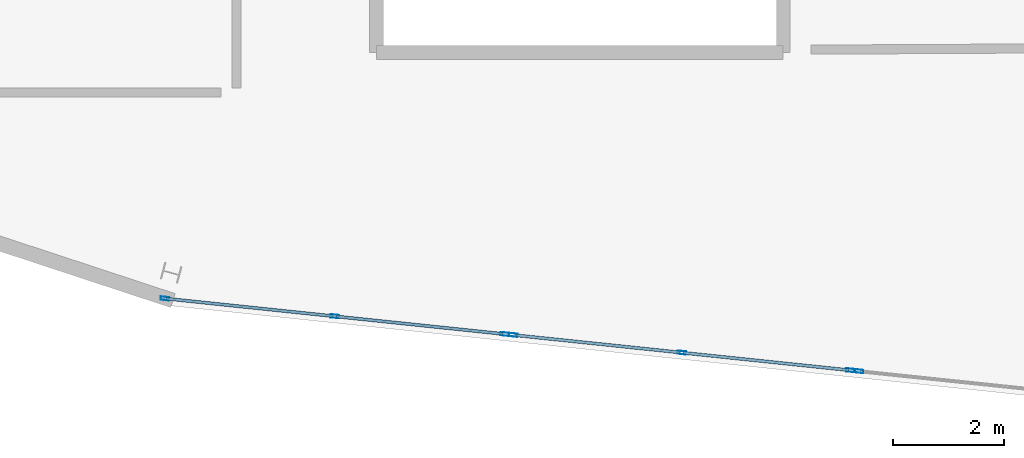
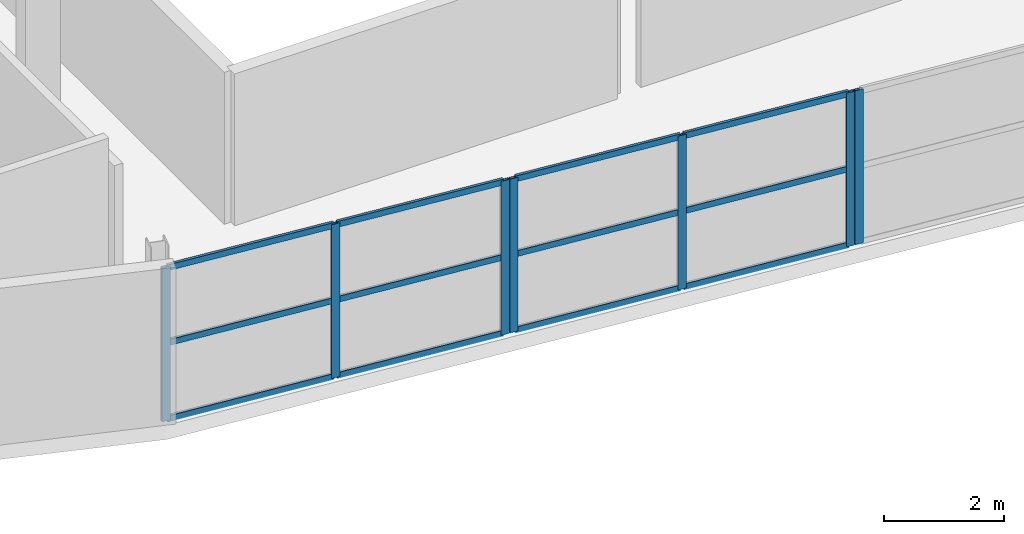
# One storey, part 15 of 35: 19 members, 3 elements without a shape of their own.
"""IFC4 building model written with IfcOpenShell, lengths in metres."""

from ifc_helpers import new_model, si_unit, direction, frame, origin, origin_2d, place, context, subcontext, project, spatial, hollow_rectangle, extrude, material, layer, layer_set, material_profile, profile_set, type_object, element, aggregate, save


model = new_model("IFC4")

# Units and contexts
model_context = context("Model", 3, precision=1e-05, world=origin(), true_north=direction((0.0, 1.0)))
body_context = subcontext(model_context, "Body", "Model", "MODEL_VIEW")
ifc_project = project(units=[si_unit("LENGTHUNIT", "METRE"), si_unit("AREAUNIT", "SQUARE_METRE"), si_unit("VOLUMEUNIT", "CUBIC_METRE"), si_unit("PLANEANGLEUNIT", "RADIAN"), si_unit("MASSUNIT", "GRAM", prefix="KILO")], contexts=[model_context])

# Site, building, storey
site_placement = place(None, origin())
site = spatial("IfcSite", under=ifc_project, at=site_placement, CompositionType="ELEMENT")
building_placement = place(site_placement, origin())
building = spatial("IfcBuilding", under=site, at=building_placement, Name="Kalgoora Escarpment Arena", CompositionType="ELEMENT")
storey_placement = place(building_placement, frame((0.0, 0.0, 23.39990234375)))
storey = spatial("IfcBuildingStorey", under=building, at=storey_placement, Name="L05", CompositionType="ELEMENT", Elevation=23.39990234375)

# Curtain wall, member
ifc_material_1 = material(Name=" Champagne anodised aluminium & double-glazed low-E", Category="aluminium")
ifc_layer_1 = layer(ifc_material_1, 0.14990234375)
ifc_layer_set_1 = layer_set([ifc_layer_1], Name="CW-UNIT-15")
curtain_wall_type_1 = type_object("IfcCurtainWallType", Name="CW-UNIT-15", PredefinedType="NOTDEFINED", material=ifc_layer_set_1)
curtain_wall_1_placement = place(storey_placement, origin())
curtain_wall_1 = element("IfcCurtainWall", 1, at=curtain_wall_1_placement, inside=storey, type_object=curtain_wall_type_1, Name="L05 unitised facade curtain wall 194", PredefinedType="NOTDEFINED")
ifc_material_2 = material(Name="Anodised aluminium 6063-T6", Category="aluminium")
ifc_material_profile_1 = material_profile(ifc_material_2, hollow_rectangle(XDim=0.06005859375, YDim=0.14990234375, WallThickness=0.00341796875, at=origin_2d()))
ifc_profile_set_1 = profile_set([ifc_material_profile_1], Name="Anodised aluminium 6063-T6")
member_type_1 = type_object("IfcMemberType", Name="MEM-CW-MULL-150", PredefinedType="MULLION", material=ifc_profile_set_1)
member_1_placement = place(storey_placement, frame((86.245849609375, 7.165283203125, 0.02001953125), z_axis=(0.0, 0.0, 1.0), x_axis=(-0.104184301056, -0.994558008069, 0.0)))
member_1 = element("IfcMember", 2, at=member_1_placement, type_object=member_type_1, Name="CW-15 mullion 3", PredefinedType="MULLION", context=body_context, shape_type="SweptSolid", body=[
    extrude(hollow_rectangle(XDim=0.06005859375, YDim=0.14990234375, WallThickness=0.00341796875, at=origin_2d()), origin(), (0.0, 0.0, 1.0), 3.1201171875),
])
aggregate(curtain_wall_1, [member_1])

# Curtain wall, members
ifc_material_3 = material(Name=" Champagne anodised aluminium & double-glazed low-E", Category="aluminium")
ifc_layer_2 = layer(ifc_material_3, 0.154052734375)
ifc_layer_set_2 = layer_set([ifc_layer_2], Name="CW-UNIT-16")
curtain_wall_type_2 = type_object("IfcCurtainWallType", Name="CW-UNIT-16", PredefinedType="NOTDEFINED", material=ifc_layer_set_2)
curtain_wall_2_placement = place(storey_placement, origin())
curtain_wall_2 = element("IfcCurtainWall", 3, at=curtain_wall_2_placement, inside=storey, type_object=curtain_wall_type_2, Name="L05 unitised facade curtain wall 195", PredefinedType="NOTDEFINED")
member_2_placement = place(storey_placement, frame((86.086669921875, 7.181884765625, 0.02001953125), z_axis=(0.0, 0.0, 1.0), x_axis=(-0.104169303359, -0.994559579029, 0.0)))
member_2 = element("IfcMember", 4, at=member_2_placement, type_object=member_type_1, Name="CW-16 mullion 1", PredefinedType="MULLION", context=body_context, shape_type="SweptSolid", body=[
    extrude(hollow_rectangle(XDim=0.06005859375, YDim=0.14990234375, WallThickness=0.00341796875, at=origin_2d()), origin(), (0.0, 0.0, 1.0), 3.1201171875),
])
member_3_placement = place(storey_placement, frame((83.043212890625, 7.500732421875, 0.02001953125), z_axis=(0.0, 0.0, 1.0), x_axis=(-0.104169303359, -0.994559579029, 0.0)))
member_3 = element("IfcMember", 5, at=member_3_placement, type_object=member_type_1, Name="CW-16 mullion 2", PredefinedType="MULLION", context=body_context, shape_type="SweptSolid", body=[
    extrude(hollow_rectangle(XDim=0.06005859375, YDim=0.14990234375, WallThickness=0.00341796875, at=origin_2d()), origin(), (0.0, 0.0, 1.0), 3.1201171875),
])
member_4_placement = place(storey_placement, frame((79.999755859375, 7.819580078125, 0.02001953125), z_axis=(0.0, 0.0, 1.0), x_axis=(-0.104169303359, -0.994559579029, 0.0)))
member_4 = element("IfcMember", 6, at=member_4_placement, type_object=member_type_1, Name="CW-16 mullion 3", PredefinedType="MULLION", context=body_context, shape_type="SweptSolid", body=[
    extrude(hollow_rectangle(XDim=0.06005859375, YDim=0.14990234375, WallThickness=0.00341796875, at=origin_2d()), origin(), (0.0, 0.0, 1.0), 3.1201171875),
])

ifc_material_4 = material(Name=" Champagne anodised aluminium & double-glazed low-E", Category="aluminium")
ifc_layer_3 = layer(ifc_material_4, 0.157958984375)
ifc_layer_set_3 = layer_set([ifc_layer_3], Name="CW-UNIT-17")
curtain_wall_type_3 = type_object("IfcCurtainWallType", Name="CW-UNIT-17", PredefinedType="NOTDEFINED", material=ifc_layer_set_3)
curtain_wall_3_placement = place(storey_placement, origin())
curtain_wall_3 = element("IfcCurtainWall", 7, at=curtain_wall_3_placement, inside=storey, type_object=curtain_wall_type_3, Name="L05 unitised facade curtain wall 196", PredefinedType="NOTDEFINED")
member_5_placement = place(storey_placement, frame((79.840576171875, 7.836181640625, 0.02001953125), z_axis=(0.0, 0.0, 1.0), x_axis=(-0.104168424645, -0.994559671064, 0.0)))
member_5 = element("IfcMember", 8, at=member_5_placement, type_object=member_type_1, Name="CW-17 mullion 1", PredefinedType="MULLION", context=body_context, shape_type="SweptSolid", body=[
    extrude(hollow_rectangle(XDim=0.06005859375, YDim=0.14990234375, WallThickness=0.00341796875, at=origin_2d()), origin(), (0.0, 0.0, 1.0), 3.1201171875),
])
member_6_placement = place(storey_placement, frame((76.772216796875, 8.157470703125, 0.02001953125), z_axis=(0.0, 0.0, 1.0), x_axis=(-0.104168424645, -0.994559671064, 0.0)))
member_6 = element("IfcMember", 9, at=member_6_placement, type_object=member_type_1, Name="CW-17 mullion 2", PredefinedType="MULLION", context=body_context, shape_type="SweptSolid", body=[
    extrude(hollow_rectangle(XDim=0.06005859375, YDim=0.14990234375, WallThickness=0.00341796875, at=origin_2d()), origin(), (0.0, 0.0, 1.0), 3.1201171875),
])
member_7_placement = place(storey_placement, frame((73.703857421875, 8.478759765625, 0.02001953125), z_axis=(0.0, 0.0, 1.0), x_axis=(-0.104168424645, -0.994559671064, 0.0)))
member_7 = element("IfcMember", 10, at=member_7_placement, type_object=member_type_1, Name="CW-17 mullion 3", PredefinedType="MULLION", context=body_context, shape_type="SweptSolid", body=[
    extrude(hollow_rectangle(XDim=0.06005859375, YDim=0.14990234375, WallThickness=0.00341796875, at=origin_2d()), origin(), (0.0, 0.0, 1.0), 3.1201171875),
])

# Member
ifc_material_5 = material(Name="Anodised aluminium 6063-T6", Category="aluminium")
ifc_material_profile_2 = material_profile(ifc_material_5, hollow_rectangle(XDim=0.054931640625, YDim=0.1201171875, WallThickness=0.003173828125, at=origin_2d()))
ifc_profile_set_2 = profile_set([ifc_material_profile_2], Name="Anodised aluminium 6063-T6")
member_type_2 = type_object("IfcMemberType", Name="MEM-CW-TRAN-120", PredefinedType="USERDEFINED", material=ifc_profile_set_2)
member_8_placement = place(storey_placement, frame((86.056884765625, 7.18505859375, 0.047607421875), z_axis=(-0.994560604365, 0.104159513466, 0.0), x_axis=(-0.104159513466, -0.994560604365, 0.0)))
member_8 = element("IfcMember", 11, at=member_8_placement, type_object=member_type_2, Name="CW-16 transom 1.1", ObjectType="TRANSOM", PredefinedType="USERDEFINED", context=body_context, shape_type="SweptSolid", body=[
    extrude(hollow_rectangle(XDim=0.054931640625, YDim=0.1201171875, WallThickness=0.003173828125, at=origin_2d()), origin(), (0.0, 0.0, 1.0), 3.000244140625),
])

member_9_placement = place(storey_placement, frame((86.056884765625, 7.18505859375, 1.590087890625), z_axis=(-0.994560604365, 0.104159513466, 0.0), x_axis=(-0.104159513466, -0.994560604365, 0.0)))
member_9 = element("IfcMember", 12, at=member_9_placement, type_object=member_type_2, Name="CW-16 transom 1.2", ObjectType="TRANSOM", PredefinedType="USERDEFINED", context=body_context, shape_type="SweptSolid", body=[
    extrude(hollow_rectangle(XDim=0.054931640625, YDim=0.1201171875, WallThickness=0.003173828125, at=origin_2d()), origin(), (0.0, 0.0, 1.0), 3.000244140625),
])

member_10_placement = place(storey_placement, frame((86.056884765625, 7.18505859375, 3.112548828125), z_axis=(-0.994560604365, 0.104159513466, 0.0), x_axis=(-0.104159513466, -0.994560604365, 0.0)))
member_10 = element("IfcMember", 13, at=member_10_placement, type_object=member_type_2, Name="CW-16 transom 1.3", ObjectType="TRANSOM", PredefinedType="USERDEFINED", context=body_context, shape_type="SweptSolid", body=[
    extrude(hollow_rectangle(XDim=0.054931640625, YDim=0.1201171875, WallThickness=0.003173828125, at=origin_2d()), origin(), (0.0, 0.0, 1.0), 3.000244140625),
])

member_11_placement = place(storey_placement, frame((83.013427734375, 7.50390625, 0.047607421875), z_axis=(-0.994560604365, 0.104159513466, 0.0), x_axis=(-0.104159513466, -0.994560604365, 0.0)))
member_11 = element("IfcMember", 14, at=member_11_placement, type_object=member_type_2, Name="CW-16 transom 2.1", ObjectType="TRANSOM", PredefinedType="USERDEFINED", context=body_context, shape_type="SweptSolid", body=[
    extrude(hollow_rectangle(XDim=0.054931640625, YDim=0.1201171875, WallThickness=0.003173828125, at=origin_2d()), origin(), (0.0, 0.0, 1.0), 3.000244140625),
])

member_12_placement = place(storey_placement, frame((83.013427734375, 7.50390625, 1.590087890625), z_axis=(-0.994560604365, 0.104159513466, 0.0), x_axis=(-0.104159513466, -0.994560604365, 0.0)))
member_12 = element("IfcMember", 15, at=member_12_placement, type_object=member_type_2, Name="CW-16 transom 2.2", ObjectType="TRANSOM", PredefinedType="USERDEFINED", context=body_context, shape_type="SweptSolid", body=[
    extrude(hollow_rectangle(XDim=0.054931640625, YDim=0.1201171875, WallThickness=0.003173828125, at=origin_2d()), origin(), (0.0, 0.0, 1.0), 3.000244140625),
])

member_13_placement = place(storey_placement, frame((83.013427734375, 7.50390625, 3.112548828125), z_axis=(-0.994560604365, 0.104159513466, 0.0), x_axis=(-0.104159513466, -0.994560604365, 0.0)))
member_13 = element("IfcMember", 16, at=member_13_placement, type_object=member_type_2, Name="CW-16 transom 2.3", ObjectType="TRANSOM", PredefinedType="USERDEFINED", context=body_context, shape_type="SweptSolid", body=[
    extrude(hollow_rectangle(XDim=0.054931640625, YDim=0.1201171875, WallThickness=0.003173828125, at=origin_2d()), origin(), (0.0, 0.0, 1.0), 3.000244140625),
])

aggregate(curtain_wall_2, [member_2, member_3, member_4, member_8, member_9, member_10, member_11, member_12, member_13])

member_14_placement = place(storey_placement, frame((79.810791015625, 7.83935546875, 0.047607421875), z_axis=(-0.994566307615, 0.104105041936, 0.0), x_axis=(-0.104105041936, -0.994566307615, 0.0)))
member_14 = element("IfcMember", 17, at=member_14_placement, type_object=member_type_2, Name="CW-17 transom 1.1", ObjectType="TRANSOM", PredefinedType="USERDEFINED", context=body_context, shape_type="SweptSolid", body=[
    extrude(hollow_rectangle(XDim=0.054931640625, YDim=0.1201171875, WallThickness=0.003173828125, at=origin_2d()), origin(), (0.0, 0.0, 1.0), 3.025146484375),
])

member_15_placement = place(storey_placement, frame((79.810791015625, 7.83935546875, 1.590087890625), z_axis=(-0.994566307615, 0.104105041936, 0.0), x_axis=(-0.104105041936, -0.994566307615, 0.0)))
member_15 = element("IfcMember", 18, at=member_15_placement, type_object=member_type_2, Name="CW-17 transom 1.2", ObjectType="TRANSOM", PredefinedType="USERDEFINED", context=body_context, shape_type="SweptSolid", body=[
    extrude(hollow_rectangle(XDim=0.054931640625, YDim=0.1201171875, WallThickness=0.003173828125, at=origin_2d()), origin(), (0.0, 0.0, 1.0), 3.025146484375),
])

member_16_placement = place(storey_placement, frame((79.810791015625, 7.83935546875, 3.112548828125), z_axis=(-0.994566307615, 0.104105041936, 0.0), x_axis=(-0.104105041936, -0.994566307615, 0.0)))
member_16 = element("IfcMember", 19, at=member_16_placement, type_object=member_type_2, Name="CW-17 transom 1.3", ObjectType="TRANSOM", PredefinedType="USERDEFINED", context=body_context, shape_type="SweptSolid", body=[
    extrude(hollow_rectangle(XDim=0.054931640625, YDim=0.1201171875, WallThickness=0.003173828125, at=origin_2d()), origin(), (0.0, 0.0, 1.0), 3.025146484375),
])

member_17_placement = place(storey_placement, frame((76.742431640625, 8.16064453125, 0.047607421875), z_axis=(-0.994557948691, 0.104184867881, 0.0), x_axis=(-0.104184867881, -0.994557948691, 0.0)))
member_17 = element("IfcMember", 20, at=member_17_placement, type_object=member_type_2, Name="CW-17 transom 2.1", ObjectType="TRANSOM", PredefinedType="USERDEFINED", context=body_context, shape_type="SweptSolid", body=[
    extrude(hollow_rectangle(XDim=0.054931640625, YDim=0.1201171875, WallThickness=0.003173828125, at=origin_2d()), origin(), (0.0, 0.0, 1.0), 3.025146484375),
])

member_18_placement = place(storey_placement, frame((76.742431640625, 8.16064453125, 1.590087890625), z_axis=(-0.994557948691, 0.104184867881, 0.0), x_axis=(-0.104184867881, -0.994557948691, 0.0)))
member_18 = element("IfcMember", 21, at=member_18_placement, type_object=member_type_2, Name="CW-17 transom 2.2", ObjectType="TRANSOM", PredefinedType="USERDEFINED", context=body_context, shape_type="SweptSolid", body=[
    extrude(hollow_rectangle(XDim=0.054931640625, YDim=0.1201171875, WallThickness=0.003173828125, at=origin_2d()), origin(), (0.0, 0.0, 1.0), 3.025146484375),
])

member_19_placement = place(storey_placement, frame((76.742431640625, 8.16064453125, 3.112548828125), z_axis=(-0.994557948691, 0.104184867881, 0.0), x_axis=(-0.104184867881, -0.994557948691, 0.0)))
member_19 = element("IfcMember", 22, at=member_19_placement, type_object=member_type_2, Name="CW-17 transom 2.3", ObjectType="TRANSOM", PredefinedType="USERDEFINED", context=body_context, shape_type="SweptSolid", body=[
    extrude(hollow_rectangle(XDim=0.054931640625, YDim=0.1201171875, WallThickness=0.003173828125, at=origin_2d()), origin(), (0.0, 0.0, 1.0), 3.025146484375),
])

aggregate(curtain_wall_3, [member_5, member_6, member_7, member_14, member_15, member_16, member_17, member_18, member_19])

save(model, "model.ifc")
